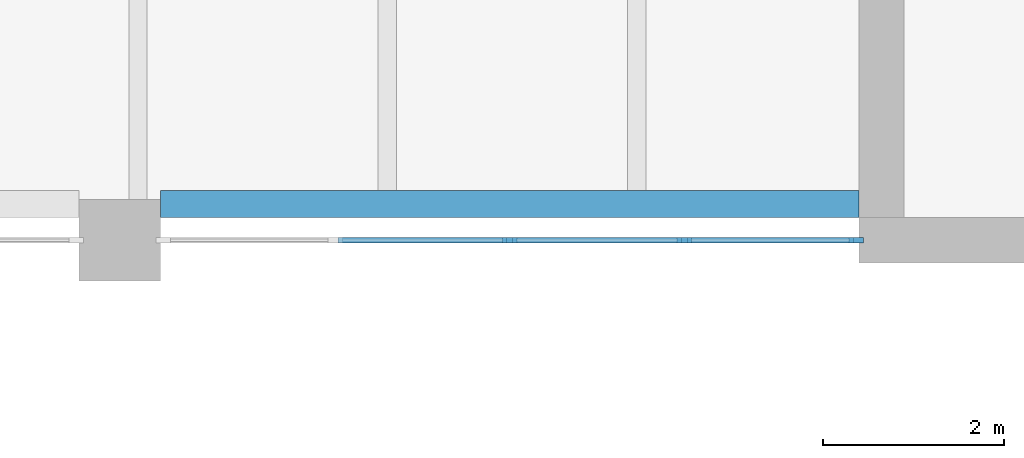
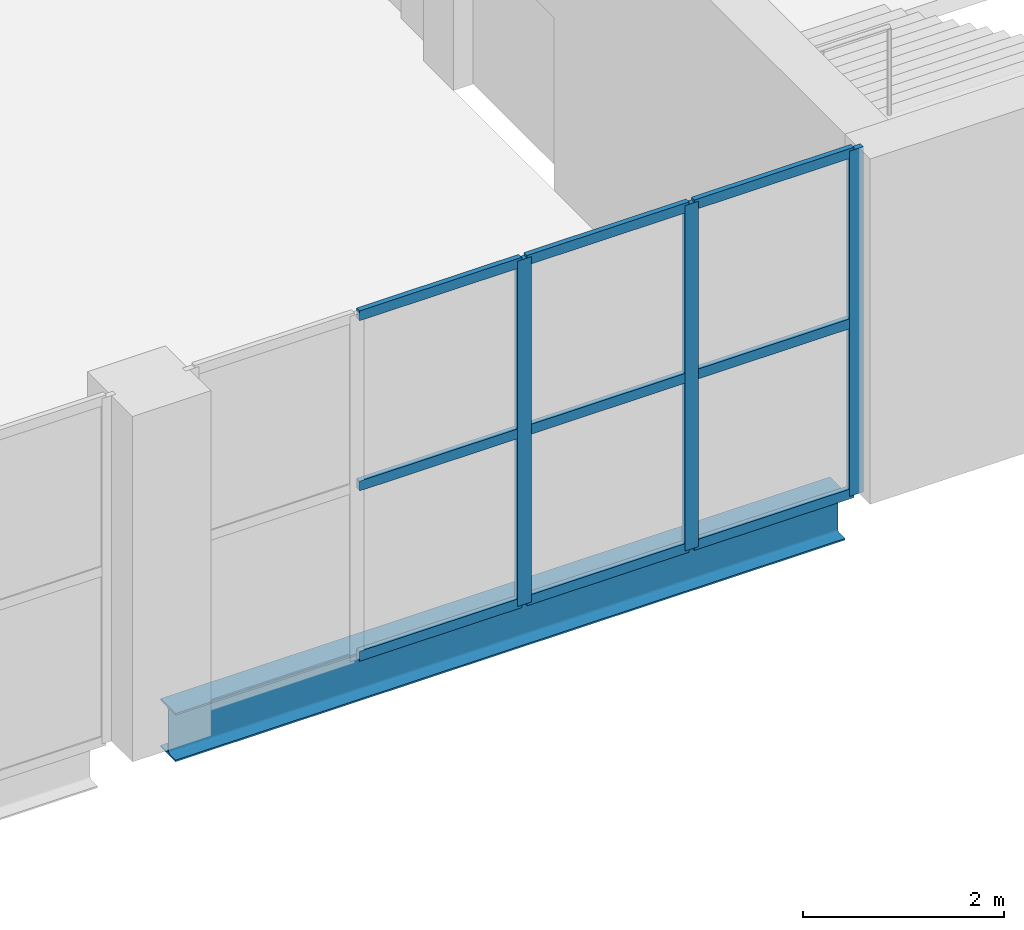
# One storey, part 33 of 100: 12 members, 1 beam, 1 element without a shape of its own.
"""IFC4 building model written with IfcOpenShell, lengths in metres."""

from ifc_helpers import new_model, si_unit, direction, frame, origin, origin_2d, place, context, subcontext, project, spatial, rectangle, i_section, extrude, material, layer, layer_set, material_profile, profile_set, type_object, element, aggregate, save


model = new_model("IFC4")

# Units and contexts
model_context = context("Model", 3, precision=1e-05, world=origin(), true_north=direction((0.0, 1.0)))
body_context = subcontext(model_context, "Body", "Model", "MODEL_VIEW")
ifc_project = project(units=[si_unit("LENGTHUNIT", "METRE"), si_unit("AREAUNIT", "SQUARE_METRE"), si_unit("VOLUMEUNIT", "CUBIC_METRE"), si_unit("PLANEANGLEUNIT", "RADIAN"), si_unit("MASSUNIT", "GRAM", prefix="KILO")], contexts=[model_context])

# Site, building, storey
site_placement = place(None, origin())
site = spatial("IfcSite", under=ifc_project, at=site_placement, CompositionType="ELEMENT")
building_placement = place(site_placement, origin())
building = spatial("IfcBuilding", under=site, at=building_placement, Name="Cresset Court Congress Hotel", CompositionType="ELEMENT")
storey_placement = place(building_placement, frame((0.0, 0.0, 10.199951171875)))
storey = spatial("IfcBuildingStorey", under=building, at=storey_placement, Name="L02", CompositionType="ELEMENT", Elevation=10.199951171875)

# Curtain wall, members
ifc_material_1 = material(Name="Aluminium and glass", Category="aluminium")
ifc_layer = layer(ifc_material_1, 0.199951171875)
ifc_layer_set = layer_set([ifc_layer], Name="Foyer curtain wall 1925 module")
curtain_wall_type = type_object("IfcCurtainWallType", Name="Foyer curtain wall 1925 module", PredefinedType="NOTDEFINED", material=ifc_layer_set)
curtain_wall_placement = place(storey_placement, origin())
curtain_wall = element("IfcCurtainWall", 1, at=curtain_wall_placement, inside=storey, type_object=curtain_wall_type, Name="Curtain wall CX-024", PredefinedType="NOTDEFINED")
ifc_material_2 = material(Name="Anodised aluminium", Category="aluminium")
ifc_material_profile_1 = material_profile(ifc_material_2, rectangle(XDim=0.06005859375, YDim=0.159912109375, at=origin_2d()), Name="AL60x160")
ifc_profile_set_1 = profile_set([ifc_material_profile_1], Name="Anodised aluminium")
member_type_1 = type_object("IfcMemberType", Name="Curtain wall mullion 60x160", PredefinedType="MULLION", material=ifc_profile_set_1)
member_1_placement = place(storey_placement, frame((105.10009765625, 58.800048828125, 0.0), z_axis=(0.0, 0.0, 1.0), x_axis=(0.0, 1.0, 0.0)))
member_1 = element("IfcMember", 2, at=member_1_placement, type_object=member_type_1, Name="C-X1 mullion 3", PredefinedType="MULLION", context=body_context, shape_type="SweptSolid", body=[
    extrude(rectangle(XDim=0.06005859375, YDim=0.159912109375, at=origin_2d()), origin(), (0.0, 0.0, 1.0), 4.199951171875),
])
member_2_placement = place(storey_placement, frame((107.02490234375, 58.800048828125, 0.0), z_axis=(0.0, 0.0, 1.0), x_axis=(0.0, 1.0, 0.0)))
member_2 = element("IfcMember", 3, at=member_2_placement, type_object=member_type_1, Name="C-X1 mullion 4", PredefinedType="MULLION", context=body_context, shape_type="SweptSolid", body=[
    extrude(rectangle(XDim=0.06005859375, YDim=0.159912109375, at=origin_2d()), origin(), (0.0, 0.0, 1.0), 4.199951171875),
])
member_3_placement = place(storey_placement, frame((108.919921875, 58.800048828125, 0.0), z_axis=(0.0, 0.0, 1.0), x_axis=(0.0, 1.0, 0.0)))
member_3 = element("IfcMember", 4, at=member_3_placement, type_object=member_type_1, Name="C-X1 mullion 5", PredefinedType="MULLION", context=body_context, shape_type="SweptSolid", body=[
    extrude(rectangle(XDim=0.06005859375, YDim=0.159912109375, at=origin_2d()), origin(), (0.0, 0.0, 1.0), 4.199951171875),
])
ifc_material_3 = material(Name="Anodised aluminium", Category="aluminium")
ifc_material_profile_2 = material_profile(ifc_material_3, rectangle(XDim=0.06005859375, YDim=0.1201171875, at=origin_2d()), Name="AL60x120")
ifc_profile_set_2 = profile_set([ifc_material_profile_2], Name="Anodised aluminium")
member_type_2 = type_object("IfcMemberType", Name="Curtain wall transom 60x120", PredefinedType="USERDEFINED", material=ifc_profile_set_2)
member_4_placement = place(storey_placement, frame((103.205078125, 58.800048828125, 0.030029296875), z_axis=(1.0, 0.0, 0.0), x_axis=(0.0, 1.0, 0.0)))
member_4 = element("IfcMember", 5, at=member_4_placement, type_object=member_type_2, Name="C-X1 transom 2.1", ObjectType="TRANSOM", PredefinedType="USERDEFINED", context=body_context, shape_type="SweptSolid", body=[
    extrude(rectangle(XDim=0.06005859375, YDim=0.1201171875, at=origin_2d()), origin(), (0.0, 0.0, 1.0), 1.864990234375),
])
member_5_placement = place(storey_placement, frame((103.205078125, 58.800048828125, 2.10009765625), z_axis=(1.0, 0.0, 0.0), x_axis=(0.0, 1.0, 0.0)))
member_5 = element("IfcMember", 6, at=member_5_placement, type_object=member_type_2, Name="C-X1 transom 2.2", ObjectType="TRANSOM", PredefinedType="USERDEFINED", context=body_context, shape_type="SweptSolid", body=[
    extrude(rectangle(XDim=0.06005859375, YDim=0.1201171875, at=origin_2d()), origin(), (0.0, 0.0, 1.0), 1.864990234375),
])
member_6_placement = place(storey_placement, frame((103.205078125, 58.800048828125, 4.170166015625), z_axis=(1.0, 0.0, 0.0), x_axis=(0.0, 1.0, 0.0)))
member_6 = element("IfcMember", 7, at=member_6_placement, type_object=member_type_2, Name="C-X1 transom 2.3", ObjectType="TRANSOM", PredefinedType="USERDEFINED", context=body_context, shape_type="SweptSolid", body=[
    extrude(rectangle(XDim=0.06005859375, YDim=0.1201171875, at=origin_2d()), origin(), (0.0, 0.0, 1.0), 1.864990234375),
])
member_7_placement = place(storey_placement, frame((105.1298828125, 58.800048828125, 0.030029296875), z_axis=(1.0, 0.0, 0.0), x_axis=(0.0, 1.0, 0.0)))
member_7 = element("IfcMember", 8, at=member_7_placement, type_object=member_type_2, Name="C-X1 transom 3.1", ObjectType="TRANSOM", PredefinedType="USERDEFINED", context=body_context, shape_type="SweptSolid", body=[
    extrude(rectangle(XDim=0.06005859375, YDim=0.1201171875, at=origin_2d()), origin(), (0.0, 0.0, 1.0), 1.865234375),
])
member_8_placement = place(storey_placement, frame((105.1298828125, 58.800048828125, 2.10009765625), z_axis=(1.0, 0.0, 0.0), x_axis=(0.0, 1.0, 0.0)))
member_8 = element("IfcMember", 9, at=member_8_placement, type_object=member_type_2, Name="C-X1 transom 3.2", ObjectType="TRANSOM", PredefinedType="USERDEFINED", context=body_context, shape_type="SweptSolid", body=[
    extrude(rectangle(XDim=0.06005859375, YDim=0.1201171875, at=origin_2d()), origin(), (0.0, 0.0, 1.0), 1.865234375),
])
member_9_placement = place(storey_placement, frame((105.1298828125, 58.800048828125, 4.170166015625), z_axis=(1.0, 0.0, 0.0), x_axis=(0.0, 1.0, 0.0)))
member_9 = element("IfcMember", 10, at=member_9_placement, type_object=member_type_2, Name="C-X1 transom 3.3", ObjectType="TRANSOM", PredefinedType="USERDEFINED", context=body_context, shape_type="SweptSolid", body=[
    extrude(rectangle(XDim=0.06005859375, YDim=0.1201171875, at=origin_2d()), origin(), (0.0, 0.0, 1.0), 1.865234375),
])
member_10_placement = place(storey_placement, frame((107.054931640625, 58.800048828125, 0.030029296875), z_axis=(1.0, 0.0, 0.0), x_axis=(0.0, 1.0, 0.0)))
member_10 = element("IfcMember", 11, at=member_10_placement, type_object=member_type_2, Name="C-X1 transom 4.1", ObjectType="TRANSOM", PredefinedType="USERDEFINED", context=body_context, shape_type="SweptSolid", body=[
    extrude(rectangle(XDim=0.06005859375, YDim=0.1201171875, at=origin_2d()), origin(), (0.0, 0.0, 1.0), 1.8349609375),
])
member_11_placement = place(storey_placement, frame((107.054931640625, 58.800048828125, 2.10009765625), z_axis=(1.0, 0.0, 0.0), x_axis=(0.0, 1.0, 0.0)))
member_11 = element("IfcMember", 12, at=member_11_placement, type_object=member_type_2, Name="C-X1 transom 4.2", ObjectType="TRANSOM", PredefinedType="USERDEFINED", context=body_context, shape_type="SweptSolid", body=[
    extrude(rectangle(XDim=0.06005859375, YDim=0.1201171875, at=origin_2d()), origin(), (0.0, 0.0, 1.0), 1.8349609375),
])
member_12_placement = place(storey_placement, frame((107.054931640625, 58.800048828125, 4.170166015625), z_axis=(1.0, 0.0, 0.0), x_axis=(0.0, 1.0, 0.0)))
member_12 = element("IfcMember", 13, at=member_12_placement, type_object=member_type_2, Name="C-X1 transom 4.3", ObjectType="TRANSOM", PredefinedType="USERDEFINED", context=body_context, shape_type="SweptSolid", body=[
    extrude(rectangle(XDim=0.06005859375, YDim=0.1201171875, at=origin_2d()), origin(), (0.0, 0.0, 1.0), 1.8349609375),
])
aggregate(curtain_wall, [member_1, member_2, member_3, member_4, member_5, member_6, member_7, member_8, member_9, member_10, member_11, member_12])

# Beam
ifc_material_4 = material(Name="Structural steel Q355B", Category="steel")
ifc_material_profile_3 = material_profile(ifc_material_4, i_section(OverallWidth=0.300048828125, OverallDepth=0.587890625, WebThickness=0.011962890625, FlangeThickness=0.02001953125, FilletRadius=0.028076171875, at=origin_2d()), Name="HM588x300x12x20")
ifc_profile_set_3 = profile_set([ifc_material_profile_3], Name="Structural steel Q355B")
beam_type = type_object("IfcBeamType", Name="Steel HM588x300x12x20 girder", PredefinedType="BEAM", material=ifc_profile_set_3)
beam_placement = place(storey_placement, frame((101.25, 59.199951171875, -0.44384765625), z_axis=(1.0, 0.0, 0.0), x_axis=(0.0, 1.0, 0.0)))
element("IfcBeam", 14, at=beam_placement, inside=storey, type_object=beam_type, Name="Girder CG-F028", PredefinedType="BEAM", context=body_context, shape_type="SweptSolid", body=[
    extrude(i_section(OverallWidth=0.300048828125, OverallDepth=0.587890625, WebThickness=0.011962890625, FlangeThickness=0.02001953125, FilletRadius=0.028076171875, at=origin_2d()), origin(), (0.0, 0.0, 1.0), 7.699951171875),
])

save(model, "model.ifc")
